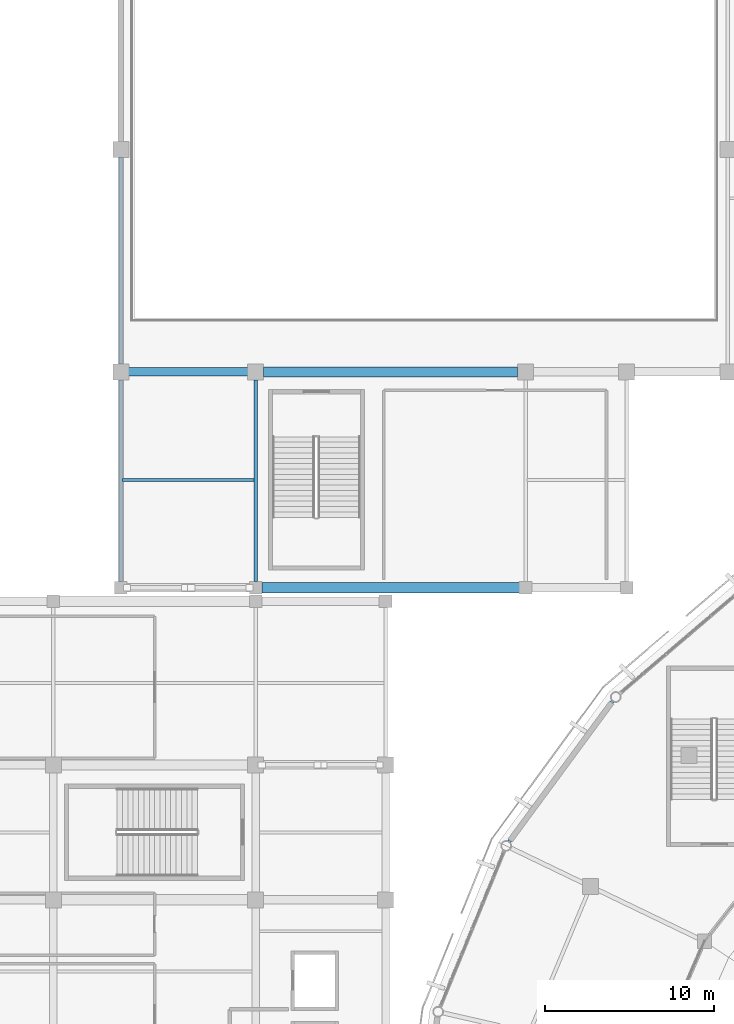
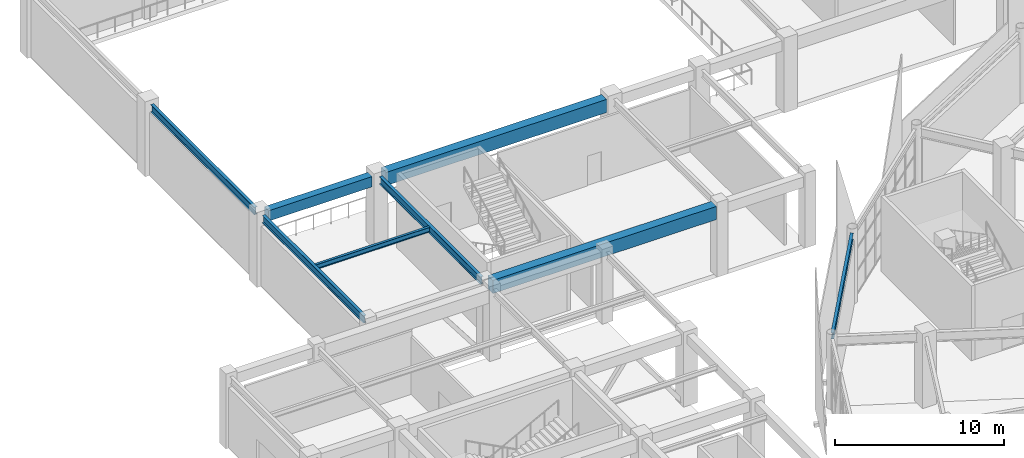
# One storey, part 37 of 120: 8 beams.
"""IFC4 building model written with IfcOpenShell, lengths in metres."""

from ifc_helpers import new_model, si_unit, direction, frame, origin, origin_2d, place, context, subcontext, project, spatial, rectangle, i_section, extrude, material, material_profile, profile_set, type_object, element, save


model = new_model("IFC4")

# Units and contexts
model_context = context("Model", 3, precision=1e-05, world=origin(), true_north=direction((0.0, 1.0)))
body_context = subcontext(model_context, "Body", "Model", "MODEL_VIEW")
ifc_project = project(units=[si_unit("LENGTHUNIT", "METRE"), si_unit("AREAUNIT", "SQUARE_METRE"), si_unit("VOLUMEUNIT", "CUBIC_METRE"), si_unit("PLANEANGLEUNIT", "RADIAN"), si_unit("MASSUNIT", "GRAM", prefix="KILO")], contexts=[model_context])

# Site, building, storey
site_placement = place(None, origin())
site = spatial("IfcSite", under=ifc_project, at=site_placement, CompositionType="ELEMENT")
building_placement = place(site_placement, origin())
building = spatial("IfcBuilding", under=site, at=building_placement, Name="Cuetzalor Civic Arena", CompositionType="ELEMENT")
storey_placement = place(building_placement, frame((0.0, 0.0, 6.0)))
storey = spatial("IfcBuildingStorey", under=building, at=storey_placement, Name="L01", CompositionType="ELEMENT", Elevation=6.0)

# Beams
ifc_material_1 = material(Name="Concrete C40/50", Category="concrete")
ifc_material_profile_1 = material_profile(ifc_material_1, rectangle(XDim=0.5, YDim=0.75, at=origin_2d()), Name="RC 500x750")
ifc_profile_set_1 = profile_set([ifc_material_profile_1], Name="Concrete C40/50")
beam_type_1 = type_object("IfcBeamType", Name="ConcreteFrameBeam_500x750", PredefinedType="BEAM", material=ifc_profile_set_1)
beam_1_placement = place(storey_placement, frame((-71.534912109375, 48.300048828125, 4.705078125), z_axis=(1.0, 0.0, 0.0), x_axis=(0.0, 1.0, 0.0)))
element("IfcBeam", 1, at=beam_1_placement, inside=storey, type_object=beam_type_1, Name="Frame Girder V5-L01-X0507", PredefinedType="BEAM", context=body_context, shape_type="SweptSolid", body=[
    extrude(rectangle(XDim=0.5, YDim=0.75, at=origin_2d()), origin(), (0.0, 0.0, 1.0), 7.06982421875),
])
ifc_material_2 = material(Name="Concrete C40/50", Category="concrete")
ifc_material_profile_2 = material_profile(ifc_material_2, rectangle(XDim=0.60009765625, YDim=0.949951171875, at=origin_2d()), Name="RC 600x950")
ifc_profile_set_2 = profile_set([ifc_material_profile_2], Name="Concrete C40/50")
beam_type_2 = type_object("IfcBeamType", Name="ConcreteFrameBeam_600x950", PredefinedType="BEAM", material=ifc_profile_set_2)
beam_2_placement = place(storey_placement, frame((-63.635009765625, 35.5, 4.60498046875), z_axis=(1.0, 0.0, 0.0), x_axis=(0.0, 1.0, 0.0)))
element("IfcBeam", 2, at=beam_2_placement, inside=storey, type_object=beam_type_2, Name="Frame Girder V5-L01-X0502", PredefinedType="BEAM", context=body_context, shape_type="SweptSolid", body=[
    extrude(rectangle(XDim=0.60009765625, YDim=0.949951171875, at=origin_2d()), origin(), (0.0, 0.0, 1.0), 15.27001953125),
])
beam_3_placement = place(storey_placement, frame((-63.534912109375, 48.300048828125, 4.60498046875), z_axis=(1.0, 0.0, 0.0), x_axis=(0.0, 1.0, 0.0)))
element("IfcBeam", 3, at=beam_3_placement, inside=storey, type_object=beam_type_2, Name="Frame Girder V5-L01-X0508", PredefinedType="BEAM", context=body_context, shape_type="SweptSolid", body=[
    extrude(rectangle(XDim=0.60009765625, YDim=0.949951171875, at=origin_2d()), origin(), (0.0, 0.0, 1.0), 15.06982421875),
])
ifc_material_3 = material(Name="Steel S355", Category="steel")
ifc_material_profile_3 = material_profile(ifc_material_3, i_section(OverallWidth=0.18994140625, OverallDepth=0.45703125, WebThickness=0.009033203125, FlangeThickness=0.014404296875, at=origin_2d()), Name="W460x74")
ifc_profile_set_3 = profile_set([ifc_material_profile_3], Name="Steel S355")
beam_type_3 = type_object("IfcBeamType", Name="FacadeSpandrelBeam_W460", PredefinedType="SPANDREL", material=ifc_profile_set_3)
beam_4_placement = place(storey_placement, frame((-42.82080078125, 28.7900390625, 4.8916015625), z_axis=(-0.592928645702, -0.805255003776, 0.0), x_axis=(0.805255003776, -0.592928645702, 0.0)))
element("IfcBeam", 4, at=beam_4_placement, inside=storey, type_object=beam_type_3, Name="Drum Perimeter Spandrel L01-S12", PredefinedType="SPANDREL", context=body_context, shape_type="SweptSolid", body=[
    extrude(i_section(OverallWidth=0.18994140625, OverallDepth=0.45703125, WebThickness=0.009033203125, FlangeThickness=0.014404296875, at=origin_2d()), origin(), (0.0, 0.0, 1.0), 10.380615234375),
])
ifc_material_4 = material(Name="Steel S355", Category="steel")
ifc_material_profile_4 = material_profile(ifc_material_4, i_section(OverallWidth=0.1708984375, OverallDepth=0.35498046875, WebThickness=0.007080078125, FlangeThickness=0.01171875, at=origin_2d()), Name="W360x51")
ifc_profile_set_4 = profile_set([ifc_material_profile_4], Name="Steel S355")
beam_type_4 = type_object("IfcBeamType", Name="SecondaryFloorJoist_W360", PredefinedType="JOIST", material=ifc_profile_set_4)
beam_5_placement = place(storey_placement, frame((-71.903564453125, 41.89990234375, 4.902587890625), z_axis=(1.0, 0.0, 0.0), x_axis=(0.0, 1.0, 0.0)))
element("IfcBeam", 5, at=beam_5_placement, inside=storey, type_object=beam_type_4, Name="Secondary Floor Joist V5-L01-0161", PredefinedType="JOIST", context=body_context, shape_type="SweptSolid", body=[
    extrude(i_section(OverallWidth=0.1708984375, OverallDepth=0.35498046875, WebThickness=0.007080078125, FlangeThickness=0.01171875, at=origin_2d()), origin(), (0.0, 0.0, 1.0), 7.80712890625),
])
ifc_material_5 = material(Name="Steel S355", Category="steel")
ifc_material_profile_5 = material_profile(ifc_material_5, i_section(OverallWidth=0.208984375, OverallDepth=0.532958984375, WebThickness=0.01025390625, FlangeThickness=0.015625, at=origin_2d()), Name="W530x92")
ifc_profile_set_5 = profile_set([ifc_material_profile_5], Name="Steel S355")
beam_type_5 = type_object("IfcBeamType", Name="SteelCollarGirder_W530", PredefinedType="BEAM", material=ifc_profile_set_5)
beam_6_placement = place(storey_placement, frame((-72.0, 35.864990234375, 4.8134765625), z_axis=(0.0, 1.0, 0.0), x_axis=(-1.0, 0.0, 0.0)))
element("IfcBeam", 6, at=beam_6_placement, inside=storey, type_object=beam_type_5, Name="Frame Girder V5-L01-Y0545", PredefinedType="BEAM", context=body_context, shape_type="SweptSolid", body=[
    extrude(i_section(OverallWidth=0.208984375, OverallDepth=0.532958984375, WebThickness=0.01025390625, FlangeThickness=0.015625, at=origin_2d()), origin(), (0.0, 0.0, 1.0), 11.969970703125),
])
beam_7_placement = place(storey_placement, frame((-72.0, 48.764892578125, 4.8134765625), z_axis=(0.0, 1.0, 0.0), x_axis=(-1.0, 0.0, 0.0)))
element("IfcBeam", 7, at=beam_7_placement, inside=storey, type_object=beam_type_5, Name="Frame Girder V5-L01-Y0546", PredefinedType="BEAM", context=body_context, shape_type="SweptSolid", body=[
    extrude(i_section(OverallWidth=0.208984375, OverallDepth=0.532958984375, WebThickness=0.01025390625, FlangeThickness=0.015625, at=origin_2d()), origin(), (0.0, 0.0, 1.0), 12.27001953125),
])
beam_8_placement = place(storey_placement, frame((-64.0, 35.864990234375, 4.8134765625), z_axis=(0.0, 1.0, 0.0), x_axis=(-1.0, 0.0, 0.0)))
element("IfcBeam", 8, at=beam_8_placement, inside=storey, type_object=beam_type_5, Name="Frame Girder V5-L01-Y0548", PredefinedType="BEAM", context=body_context, shape_type="SweptSolid", body=[
    extrude(i_section(OverallWidth=0.208984375, OverallDepth=0.532958984375, WebThickness=0.01025390625, FlangeThickness=0.015625, at=origin_2d()), origin(), (0.0, 0.0, 1.0), 11.969970703125),
])

save(model, "model.ifc")
